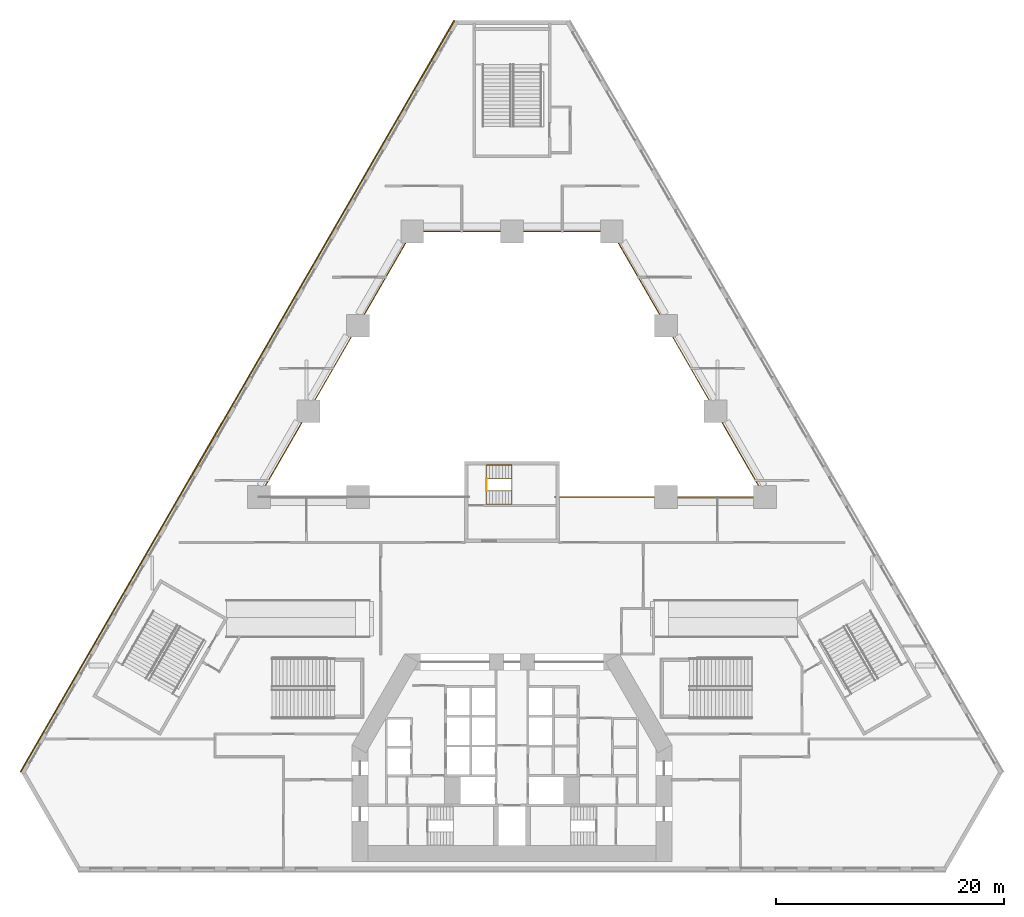
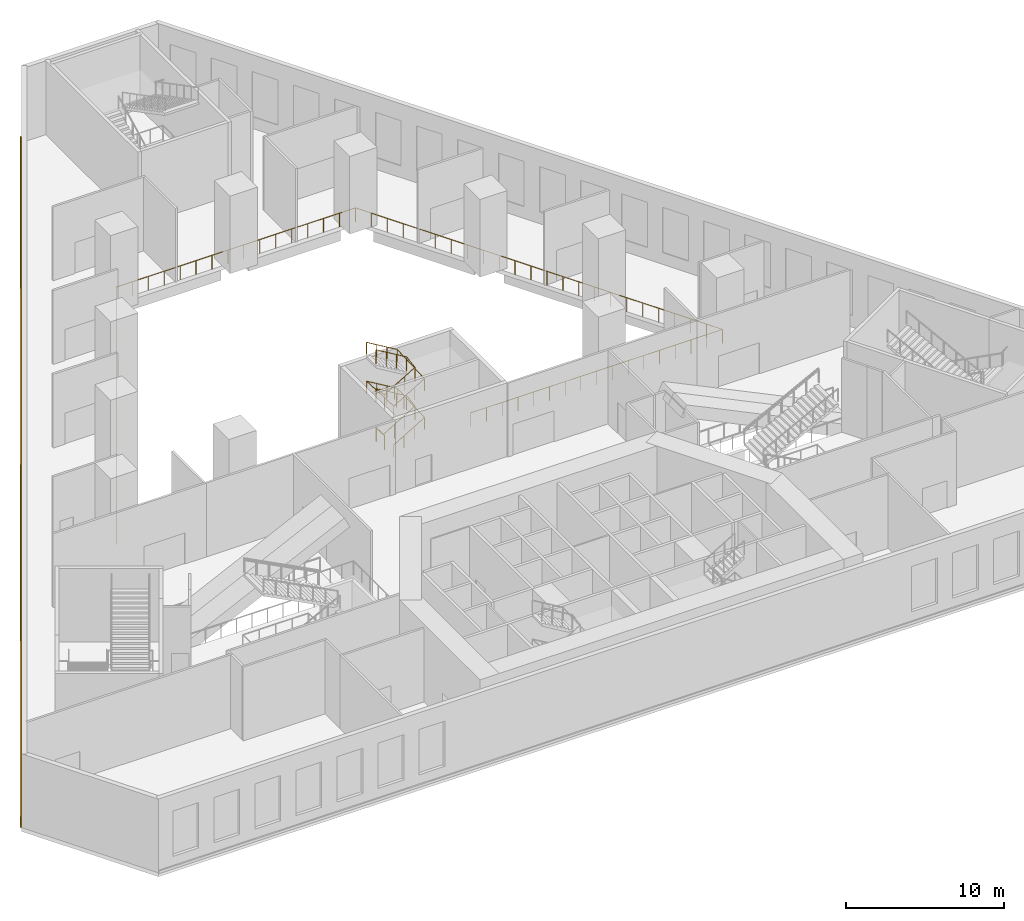
# One storey, part 12 of 16: 4 railings, 1 covering.
"""IFC4 building model written with IfcOpenShell, lengths in metres."""

from ifc_helpers import new_model, si_unit, direction, frame, origin, origin_2d, place, context, subcontext, project, spatial, polyline, circle, outline, extrude, material, type_object, element, save


model = new_model("IFC4")

# Units and contexts
model_context = context("Model", 3, precision=1e-05, world=origin(), true_north=direction((0.0, 1.0)))
body_context = subcontext(model_context, "Body", "Model", "MODEL_VIEW")
ifc_project = project(units=[si_unit("LENGTHUNIT", "METRE"), si_unit("AREAUNIT", "SQUARE_METRE"), si_unit("VOLUMEUNIT", "CUBIC_METRE"), si_unit("PLANEANGLEUNIT", "RADIAN"), si_unit("MASSUNIT", "GRAM", prefix="KILO")], contexts=[model_context])

# Site, building, storey
site_placement = place(None, origin())
site = spatial("IfcSite", under=ifc_project, at=site_placement, CompositionType="ELEMENT")
building_placement = place(site_placement, origin())
building = spatial("IfcBuilding", under=site, at=building_placement, Name="Fogline Exchange Tower", CompositionType="ELEMENT")
storey_placement = place(building_placement, frame((0.0, 0.0, 14.0)))
storey = spatial("IfcBuildingStorey", under=building, at=storey_placement, Name="L02", CompositionType="ELEMENT", Elevation=14.0)

# Railings
ifc_material_1 = material(Name="Steel Q235B", Category="steel")
railing_type_1 = type_object("IfcRailingType", Name="PG1", PredefinedType="GUARDRAIL", material=ifc_material_1)
railing_1_placement = place(storey_placement, frame((3.75, 32.760009765625, 0.0)))
element("IfcRailing", 1, at=railing_1_placement, inside=storey, type_object=railing_type_1, Name="Gallery guard", PredefinedType="GUARDRAIL", context=body_context, shape_type="SweptSolid", body=[
    extrude(circle(Radius=0.02392578125, at=origin_2d()), frame((0.0, 0.0, 1.076171875), z_axis=(1.0, 0.0, 0.0), x_axis=(0.0, 1.0, 0.0)), (0.0, 0.0, 1.0), 18.40771484375),
    extrude(circle(Radius=0.02392578125, at=origin_2d()), frame((18.40771484375, 0.0, 1.076171875), z_axis=(-0.499996250744, 0.866027568408, 0.0), x_axis=(-0.866027568408, -0.499996250744, 0.0)), (0.0, 0.0, 1.0), 26.835205078125),
    extrude(circle(Radius=0.02392578125, at=origin_2d()), frame((4.990234375, 23.239990234375, 1.076171875), z_axis=(-1.0, 0.0, 0.0), x_axis=(0.0, -1.0, 0.0)), (0.0, 0.0, 1.0), 17.48046875),
    extrude(circle(Radius=0.02392578125, at=origin_2d()), frame((-12.490234375, 23.239990234375, 1.076171875), z_axis=(-0.499996250744, -0.866027568408, 0.0), x_axis=(0.866027568408, -0.499996250744, 0.0)), (0.0, 0.0, 1.0), 26.835205078125),
    extrude(circle(Radius=0.02099609375, at=origin_2d()), origin(), (0.0, 0.0, 1.0), 1.052001953125),
    extrude(circle(Radius=0.02099609375, at=origin_2d()), frame((1.150390625, 0.0, 0.0)), (0.0, 0.0, 1.0), 1.052001953125),
    extrude(circle(Radius=0.02099609375, at=origin_2d()), frame((2.301025390625, 0.0, 0.0)), (0.0, 0.0, 1.0), 1.052001953125),
    extrude(circle(Radius=0.02099609375, at=origin_2d()), frame((3.451416015625, 0.0, 0.0)), (0.0, 0.0, 1.0), 1.052001953125),
    extrude(circle(Radius=0.02099609375, at=origin_2d()), frame((4.60205078125, 0.0, 0.0)), (0.0, 0.0, 1.0), 1.052001953125),
    extrude(circle(Radius=0.02099609375, at=origin_2d()), frame((5.75244140625, 0.0, 0.0)), (0.0, 0.0, 1.0), 1.052001953125),
    extrude(circle(Radius=0.02099609375, at=origin_2d()), frame((6.90283203125, 0.0, 0.0)), (0.0, 0.0, 1.0), 1.052001953125),
    extrude(circle(Radius=0.02099609375, at=origin_2d()), frame((8.053466796875, 0.0, 0.0)), (0.0, 0.0, 1.0), 1.052001953125),
    extrude(circle(Radius=0.02099609375, at=origin_2d()), frame((9.203857421875, 0.0, 0.0)), (0.0, 0.0, 1.0), 1.052001953125),
    extrude(circle(Radius=0.02099609375, at=origin_2d()), frame((10.354248046875, 0.0, 0.0)), (0.0, 0.0, 1.0), 1.052001953125),
    extrude(circle(Radius=0.02099609375, at=origin_2d()), frame((11.5048828125, 0.0, 0.0)), (0.0, 0.0, 1.0), 1.052001953125),
    extrude(circle(Radius=0.02099609375, at=origin_2d()), frame((12.6552734375, 0.0, 0.0)), (0.0, 0.0, 1.0), 1.052001953125),
    extrude(circle(Radius=0.02099609375, at=origin_2d()), frame((13.8056640625, 0.0, 0.0)), (0.0, 0.0, 1.0), 1.052001953125),
    extrude(circle(Radius=0.02099609375, at=origin_2d()), frame((14.956298828125, 0.0, 0.0)), (0.0, 0.0, 1.0), 1.052001953125),
    extrude(circle(Radius=0.02099609375, at=origin_2d()), frame((16.106689453125, 0.0, 0.0)), (0.0, 0.0, 1.0), 1.052001953125),
    extrude(circle(Radius=0.02099609375, at=origin_2d()), frame((17.25732421875, 0.0, 0.0)), (0.0, 0.0, 1.0), 1.052001953125),
    extrude(circle(Radius=0.02099609375, at=origin_2d()), frame((18.40771484375, 0.0, 0.0)), (0.0, 0.0, 1.0), 1.052001953125),
    extrude(circle(Radius=0.02099609375, at=origin_2d()), frame((17.824462890625, 1.010498046875, 0.0)), (0.0, 0.0, 1.0), 1.052001953125),
    extrude(circle(Radius=0.02099609375, at=origin_2d()), frame((17.240966796875, 2.020751953125, 0.0)), (0.0, 0.0, 1.0), 1.052001953125),
    extrude(circle(Radius=0.02099609375, at=origin_2d()), frame((16.65771484375, 3.03125, 0.0)), (0.0, 0.0, 1.0), 1.052001953125),
    extrude(circle(Radius=0.02099609375, at=origin_2d()), frame((16.07421875, 4.041748046875, 0.0)), (0.0, 0.0, 1.0), 1.052001953125),
    extrude(circle(Radius=0.02099609375, at=origin_2d()), frame((15.490966796875, 5.05224609375, 0.0)), (0.0, 0.0, 1.0), 1.052001953125),
    extrude(circle(Radius=0.02099609375, at=origin_2d()), frame((14.907470703125, 6.0625, 0.0)), (0.0, 0.0, 1.0), 1.052001953125),
    extrude(circle(Radius=0.02099609375, at=origin_2d()), frame((14.32421875, 7.072998046875, 0.0)), (0.0, 0.0, 1.0), 1.052001953125),
    extrude(circle(Radius=0.02099609375, at=origin_2d()), frame((13.74072265625, 8.08349609375, 0.0)), (0.0, 0.0, 1.0), 1.052001953125),
    extrude(circle(Radius=0.02099609375, at=origin_2d()), frame((13.157470703125, 9.093994140625, 0.0)), (0.0, 0.0, 1.0), 1.052001953125),
    extrude(circle(Radius=0.02099609375, at=origin_2d()), frame((12.573974609375, 10.104248046875, 0.0)), (0.0, 0.0, 1.0), 1.052001953125),
    extrude(circle(Radius=0.02099609375, at=origin_2d()), frame((11.99072265625, 11.11474609375, 0.0)), (0.0, 0.0, 1.0), 1.052001953125),
    extrude(circle(Radius=0.02099609375, at=origin_2d()), frame((11.4072265625, 12.125244140625, 0.0)), (0.0, 0.0, 1.0), 1.052001953125),
    extrude(circle(Radius=0.02099609375, at=origin_2d()), frame((10.823974609375, 13.1357421875, 0.0)), (0.0, 0.0, 1.0), 1.052001953125),
    extrude(circle(Radius=0.02099609375, at=origin_2d()), frame((10.240478515625, 14.14599609375, 0.0)), (0.0, 0.0, 1.0), 1.052001953125),
    extrude(circle(Radius=0.02099609375, at=origin_2d()), frame((9.6572265625, 15.156494140625, 0.0)), (0.0, 0.0, 1.0), 1.052001953125),
    extrude(circle(Radius=0.02099609375, at=origin_2d()), frame((9.07373046875, 16.1669921875, 0.0)), (0.0, 0.0, 1.0), 1.052001953125),
    extrude(circle(Radius=0.02099609375, at=origin_2d()), frame((8.490478515625, 17.177490234375, 0.0)), (0.0, 0.0, 1.0), 1.052001953125),
    extrude(circle(Radius=0.02099609375, at=origin_2d()), frame((7.906982421875, 18.187744140625, 0.0)), (0.0, 0.0, 1.0), 1.052001953125),
    extrude(circle(Radius=0.02099609375, at=origin_2d()), frame((7.32373046875, 19.1982421875, 0.0)), (0.0, 0.0, 1.0), 1.052001953125),
    extrude(circle(Radius=0.02099609375, at=origin_2d()), frame((6.740234375, 20.208740234375, 0.0)), (0.0, 0.0, 1.0), 1.052001953125),
    extrude(circle(Radius=0.02099609375, at=origin_2d()), frame((6.156982421875, 21.21923828125, 0.0)), (0.0, 0.0, 1.0), 1.052001953125),
    extrude(circle(Radius=0.02099609375, at=origin_2d()), frame((5.573486328125, 22.2294921875, 0.0)), (0.0, 0.0, 1.0), 1.052001953125),
    extrude(circle(Radius=0.02099609375, at=origin_2d()), frame((4.990234375, 23.239990234375, 0.0)), (0.0, 0.0, 1.0), 1.052001953125),
    extrude(circle(Radius=0.02099609375, at=origin_2d()), frame((3.824951171875, 23.239990234375, 0.0)), (0.0, 0.0, 1.0), 1.052001953125),
    extrude(circle(Radius=0.02099609375, at=origin_2d()), frame((2.659423828125, 23.239990234375, 0.0)), (0.0, 0.0, 1.0), 1.052001953125),
    extrude(circle(Radius=0.02099609375, at=origin_2d()), frame((1.494140625, 23.239990234375, 0.0)), (0.0, 0.0, 1.0), 1.052001953125),
    extrude(circle(Radius=0.02099609375, at=origin_2d()), frame((0.328857421875, 23.239990234375, 0.0)), (0.0, 0.0, 1.0), 1.052001953125),
    extrude(circle(Radius=0.02099609375, at=origin_2d()), frame((-0.836669921875, 23.239990234375, 0.0)), (0.0, 0.0, 1.0), 1.052001953125),
    extrude(circle(Radius=0.02099609375, at=origin_2d()), frame((-2.001953125, 23.239990234375, 0.0)), (0.0, 0.0, 1.0), 1.052001953125),
    extrude(circle(Radius=0.02099609375, at=origin_2d()), frame((-3.167236328125, 23.239990234375, 0.0)), (0.0, 0.0, 1.0), 1.052001953125),
    extrude(circle(Radius=0.02099609375, at=origin_2d()), frame((-4.332763671875, 23.239990234375, 0.0)), (0.0, 0.0, 1.0), 1.052001953125),
    extrude(circle(Radius=0.02099609375, at=origin_2d()), frame((-5.498046875, 23.239990234375, 0.0)), (0.0, 0.0, 1.0), 1.052001953125),
    extrude(circle(Radius=0.02099609375, at=origin_2d()), frame((-6.663330078125, 23.239990234375, 0.0)), (0.0, 0.0, 1.0), 1.052001953125),
    extrude(circle(Radius=0.02099609375, at=origin_2d()), frame((-7.828857421875, 23.239990234375, 0.0)), (0.0, 0.0, 1.0), 1.052001953125),
    extrude(circle(Radius=0.02099609375, at=origin_2d()), frame((-8.994140625, 23.239990234375, 0.0)), (0.0, 0.0, 1.0), 1.052001953125),
    extrude(circle(Radius=0.02099609375, at=origin_2d()), frame((-10.159423828125, 23.239990234375, 0.0)), (0.0, 0.0, 1.0), 1.052001953125),
    extrude(circle(Radius=0.02099609375, at=origin_2d()), frame((-11.324951171875, 23.239990234375, 0.0)), (0.0, 0.0, 1.0), 1.052001953125),
    extrude(circle(Radius=0.02099609375, at=origin_2d()), frame((-12.490234375, 23.239990234375, 0.0)), (0.0, 0.0, 1.0), 1.052001953125),
    extrude(circle(Radius=0.02099609375, at=origin_2d()), frame((-13.073486328125, 22.2294921875, 0.0)), (0.0, 0.0, 1.0), 1.052001953125),
    extrude(circle(Radius=0.02099609375, at=origin_2d()), frame((-13.656982421875, 21.21923828125, 0.0)), (0.0, 0.0, 1.0), 1.052001953125),
    extrude(circle(Radius=0.02099609375, at=origin_2d()), frame((-14.240234375, 20.208740234375, 0.0)), (0.0, 0.0, 1.0), 1.052001953125),
    extrude(circle(Radius=0.02099609375, at=origin_2d()), frame((-14.82373046875, 19.1982421875, 0.0)), (0.0, 0.0, 1.0), 1.052001953125),
    extrude(circle(Radius=0.02099609375, at=origin_2d()), frame((-15.406982421875, 18.187744140625, 0.0)), (0.0, 0.0, 1.0), 1.052001953125),
    extrude(circle(Radius=0.02099609375, at=origin_2d()), frame((-15.990478515625, 17.177490234375, 0.0)), (0.0, 0.0, 1.0), 1.052001953125),
    extrude(circle(Radius=0.02099609375, at=origin_2d()), frame((-16.57373046875, 16.1669921875, 0.0)), (0.0, 0.0, 1.0), 1.052001953125),
    extrude(circle(Radius=0.02099609375, at=origin_2d()), frame((-17.1572265625, 15.156494140625, 0.0)), (0.0, 0.0, 1.0), 1.052001953125),
    extrude(circle(Radius=0.02099609375, at=origin_2d()), frame((-17.740478515625, 14.14599609375, 0.0)), (0.0, 0.0, 1.0), 1.052001953125),
    extrude(circle(Radius=0.02099609375, at=origin_2d()), frame((-18.323974609375, 13.1357421875, 0.0)), (0.0, 0.0, 1.0), 1.052001953125),
    extrude(circle(Radius=0.02099609375, at=origin_2d()), frame((-18.9072265625, 12.125244140625, 0.0)), (0.0, 0.0, 1.0), 1.052001953125),
    extrude(circle(Radius=0.02099609375, at=origin_2d()), frame((-19.49072265625, 11.11474609375, 0.0)), (0.0, 0.0, 1.0), 1.052001953125),
    extrude(circle(Radius=0.02099609375, at=origin_2d()), frame((-20.073974609375, 10.104248046875, 0.0)), (0.0, 0.0, 1.0), 1.052001953125),
    extrude(circle(Radius=0.02099609375, at=origin_2d()), frame((-20.657470703125, 9.093994140625, 0.0)), (0.0, 0.0, 1.0), 1.052001953125),
    extrude(circle(Radius=0.02099609375, at=origin_2d()), frame((-21.24072265625, 8.08349609375, 0.0)), (0.0, 0.0, 1.0), 1.052001953125),
    extrude(circle(Radius=0.02099609375, at=origin_2d()), frame((-21.82421875, 7.072998046875, 0.0)), (0.0, 0.0, 1.0), 1.052001953125),
    extrude(circle(Radius=0.02099609375, at=origin_2d()), frame((-22.407470703125, 6.0625, 0.0)), (0.0, 0.0, 1.0), 1.052001953125),
    extrude(circle(Radius=0.02099609375, at=origin_2d()), frame((-22.990966796875, 5.05224609375, 0.0)), (0.0, 0.0, 1.0), 1.052001953125),
    extrude(circle(Radius=0.02099609375, at=origin_2d()), frame((-23.57421875, 4.041748046875, 0.0)), (0.0, 0.0, 1.0), 1.052001953125),
    extrude(circle(Radius=0.02099609375, at=origin_2d()), frame((-24.15771484375, 3.03125, 0.0)), (0.0, 0.0, 1.0), 1.052001953125),
    extrude(circle(Radius=0.02099609375, at=origin_2d()), frame((-24.740966796875, 2.020751953125, 0.0)), (0.0, 0.0, 1.0), 1.052001953125),
    extrude(circle(Radius=0.02099609375, at=origin_2d()), frame((-25.324462890625, 1.010498046875, 0.0)), (0.0, 0.0, 1.0), 1.052001953125),
    extrude(circle(Radius=0.02099609375, at=origin_2d()), frame((-25.90771484375, 0.0, 0.0)), (0.0, 0.0, 1.0), 1.052001953125),
])
railing_type_2 = type_object("IfcRailingType", Name="RL-GD", PredefinedType="GUARDRAIL", material=ifc_material_1)
railing_2_placement = place(storey_placement, frame((-2.239990234375, 33.306884765625, 0.0)))
element("IfcRailing", 2, at=railing_2_placement, inside=storey, type_object=railing_type_2, Name="Guard at well", PredefinedType="GUARDRAIL", context=body_context, shape_type="SweptSolid", body=[
    extrude(circle(Radius=0.02392578125, at=origin_2d()), frame((0.0, 0.0, 1.076171875), z_axis=(0.0, 1.0, 0.0), x_axis=(-1.0, 0.0, 0.0)), (0.0, 0.0, 1.0), 1.050048828125),
    extrude(circle(Radius=0.02099609375, at=origin_2d()), origin(), (0.0, 0.0, 1.0), 1.052001953125),
    extrude(circle(Radius=0.02099609375, at=origin_2d()), frame((0.0, 1.050048828125, 0.0)), (0.0, 0.0, 1.0), 1.052001953125),
])
railing_3_placement = place(storey_placement, frame((-2.25, 33.306884765625, 0.166748046875)))
element("IfcRailing", 3, at=railing_3_placement, inside=storey, type_object=railing_type_2, Name="Guard ST3", PredefinedType="GUARDRAIL", context=body_context, shape_type="SweptSolid", body=[
    extrude(circle(Radius=0.02392578125, at=origin_2d()), frame((0.0, 0.0, 1.076171875), z_axis=(0.859305625298, 0.0, 0.511462454469), x_axis=(0.0, 1.0, 0.0)), (0.0, 0.0, 1.0), 2.606689453125),
    extrude(circle(Radius=0.02392578125, at=origin_2d()), frame((2.239990234375, 0.0, 2.4091796875), z_axis=(0.0, 0.987624803842, 0.156835094402), x_axis=(-1.0, 0.0, 0.0)), (0.0, 0.0, 1.0), 1.063232421875),
    extrude(circle(Radius=0.02392578125, at=origin_2d()), frame((2.239990234375, 1.050048828125, 2.576171875), z_axis=(-0.859305625298, 0.0, 0.511462454469), x_axis=(0.0, -1.0, 0.0)), (0.0, 0.0, 1.0), 2.606689453125),
    extrude(circle(Radius=0.02392578125, at=origin_2d()), frame((0.0, 1.050048828125, 3.9091796875), z_axis=(0.0, -0.987624803842, 0.156835094402), x_axis=(1.0, 0.0, 0.0)), (0.0, 0.0, 1.0), 1.063232421875),
    extrude(circle(Radius=0.02392578125, at=origin_2d()), frame((0.0, 0.0, 4.076171875), z_axis=(0.859305625298, 0.0, 0.511462454469), x_axis=(0.0, 1.0, 0.0)), (0.0, 0.0, 1.0), 2.606689453125),
    extrude(circle(Radius=0.02392578125, at=origin_2d()), frame((2.239990234375, 0.0, 5.4091796875), z_axis=(0.0, 0.987624803842, 0.156835094402), x_axis=(-1.0, 0.0, 0.0)), (0.0, 0.0, 1.0), 1.063232421875),
    extrude(circle(Radius=0.02392578125, at=origin_2d()), frame((2.239990234375, 1.050048828125, 5.576171875), z_axis=(-0.859305625298, 0.0, 0.511462454469), x_axis=(0.0, -1.0, 0.0)), (0.0, 0.0, 1.0), 2.606689453125),
    extrude(circle(Radius=0.02099609375, at=origin_2d()), origin(), (0.0, 0.0, 1.0), 1.052001953125),
    extrude(circle(Radius=0.02099609375, at=origin_2d()), frame((0.74658203125, 0.0, 0.4443359375)), (0.0, 0.0, 1.0), 1.052001953125),
    extrude(circle(Radius=0.02099609375, at=origin_2d()), frame((1.493408203125, 0.0, 0.888916015625)), (0.0, 0.0, 1.0), 1.052001953125),
    extrude(circle(Radius=0.02099609375, at=origin_2d()), frame((2.239990234375, 0.0, 1.333251953125)), (0.0, 0.0, 1.0), 1.052001953125),
    extrude(circle(Radius=0.02099609375, at=origin_2d()), frame((2.239990234375, 1.050048828125, 1.5)), (0.0, 0.0, 1.0), 1.052001953125),
    extrude(circle(Radius=0.02099609375, at=origin_2d()), frame((1.493408203125, 1.050048828125, 1.9443359375)), (0.0, 0.0, 1.0), 1.052001953125),
    extrude(circle(Radius=0.02099609375, at=origin_2d()), frame((0.74658203125, 1.050048828125, 2.388916015625)), (0.0, 0.0, 1.0), 1.052001953125),
    extrude(circle(Radius=0.02099609375, at=origin_2d()), frame((0.0, 1.050048828125, 2.833251953125)), (0.0, 0.0, 1.0), 1.052001953125),
    extrude(circle(Radius=0.02099609375, at=origin_2d()), frame((0.0, 0.0, 3.0)), (0.0, 0.0, 1.0), 1.052001953125),
    extrude(circle(Radius=0.02099609375, at=origin_2d()), frame((0.74658203125, 0.0, 3.4443359375)), (0.0, 0.0, 1.0), 1.052001953125),
    extrude(circle(Radius=0.02099609375, at=origin_2d()), frame((1.493408203125, 0.0, 3.888916015625)), (0.0, 0.0, 1.0), 1.052001953125),
    extrude(circle(Radius=0.02099609375, at=origin_2d()), frame((2.239990234375, 0.0, 4.333251953125)), (0.0, 0.0, 1.0), 1.052001953125),
    extrude(circle(Radius=0.02099609375, at=origin_2d()), frame((2.239990234375, 1.050048828125, 4.5)), (0.0, 0.0, 1.0), 1.052001953125),
    extrude(circle(Radius=0.02099609375, at=origin_2d()), frame((1.493408203125, 1.050048828125, 4.9443359375)), (0.0, 0.0, 1.0), 1.052001953125),
    extrude(circle(Radius=0.02099609375, at=origin_2d()), frame((0.74658203125, 1.050048828125, 5.388916015625)), (0.0, 0.0, 1.0), 1.052001953125),
    extrude(circle(Radius=0.02099609375, at=origin_2d()), frame((0.0, 1.050048828125, 5.833251953125)), (0.0, 0.0, 1.0), 1.052001953125),
])
railing_type_3 = type_object("IfcRailingType", Name="RL-HR", PredefinedType="HANDRAIL", material=ifc_material_1)
railing_4_placement = place(storey_placement, frame((-2.25, 32.10693359375, 0.166748046875)))
element("IfcRailing", 4, at=railing_4_placement, inside=storey, type_object=railing_type_3, Name="Handrail ST3", PredefinedType="HANDRAIL", context=body_context, shape_type="SweptSolid", body=[
    extrude(circle(Radius=0.02392578125, at=origin_2d()), frame((0.0, 0.0, 0.92578125), z_axis=(0.859305625298, 0.0, 0.511462454469), x_axis=(0.0, 1.0, 0.0)), (0.0, 0.0, 1.0), 2.606689453125),
    extrude(circle(Radius=0.02392578125, at=origin_2d()), frame((2.239990234375, 0.0, 2.25927734375), z_axis=(0.0, 0.998833981318, 0.04827709357), x_axis=(-1.0, 0.0, 0.0)), (0.0, 0.0, 1.0), 3.453857421875),
    extrude(circle(Radius=0.02392578125, at=origin_2d()), frame((2.239990234375, 3.449951171875, 2.42578125), z_axis=(-0.859305625298, 0.0, 0.511462454469), x_axis=(0.0, -1.0, 0.0)), (0.0, 0.0, 1.0), 2.606689453125),
    extrude(circle(Radius=0.02392578125, at=origin_2d()), frame((0.0, 3.449951171875, 3.75927734375), z_axis=(0.0, -0.998833981318, 0.04827709357), x_axis=(1.0, 0.0, 0.0)), (0.0, 0.0, 1.0), 3.453857421875),
    extrude(circle(Radius=0.02392578125, at=origin_2d()), frame((0.0, 0.0, 3.92578125), z_axis=(0.859305625298, 0.0, 0.511462454469), x_axis=(0.0, 1.0, 0.0)), (0.0, 0.0, 1.0), 2.606689453125),
    extrude(circle(Radius=0.02392578125, at=origin_2d()), frame((2.239990234375, 0.0, 5.25927734375), z_axis=(0.0, 0.998833981318, 0.04827709357), x_axis=(-1.0, 0.0, 0.0)), (0.0, 0.0, 1.0), 3.453857421875),
    extrude(circle(Radius=0.02392578125, at=origin_2d()), frame((2.239990234375, 3.449951171875, 5.42578125), z_axis=(-0.859305625298, 0.0, 0.511462454469), x_axis=(0.0, -1.0, 0.0)), (0.0, 0.0, 1.0), 2.606689453125),
    extrude(circle(Radius=0.02099609375, at=origin_2d()), origin(), (0.0, 0.0, 1.0), 0.90185546875),
    extrude(circle(Radius=0.02099609375, at=origin_2d()), frame((0.74658203125, 0.0, 0.4443359375)), (0.0, 0.0, 1.0), 0.90185546875),
    extrude(circle(Radius=0.02099609375, at=origin_2d()), frame((1.493408203125, 0.0, 0.888916015625)), (0.0, 0.0, 1.0), 0.90185546875),
    extrude(circle(Radius=0.02099609375, at=origin_2d()), frame((2.239990234375, 0.0, 1.333251953125)), (0.0, 0.0, 1.0), 0.90185546875),
    extrude(circle(Radius=0.02099609375, at=origin_2d()), frame((2.239990234375, 1.14990234375, 1.388916015625)), (0.0, 0.0, 1.0), 0.90185546875),
    extrude(circle(Radius=0.02099609375, at=origin_2d()), frame((2.239990234375, 2.300048828125, 1.4443359375)), (0.0, 0.0, 1.0), 0.90185546875),
    extrude(circle(Radius=0.02099609375, at=origin_2d()), frame((2.239990234375, 3.449951171875, 1.5)), (0.0, 0.0, 1.0), 0.90185546875),
    extrude(circle(Radius=0.02099609375, at=origin_2d()), frame((1.493408203125, 3.449951171875, 1.9443359375)), (0.0, 0.0, 1.0), 0.90185546875),
    extrude(circle(Radius=0.02099609375, at=origin_2d()), frame((0.74658203125, 3.449951171875, 2.388916015625)), (0.0, 0.0, 1.0), 0.90185546875),
    extrude(circle(Radius=0.02099609375, at=origin_2d()), frame((0.0, 3.449951171875, 2.833251953125)), (0.0, 0.0, 1.0), 0.90185546875),
    extrude(circle(Radius=0.02099609375, at=origin_2d()), frame((0.0, 2.300048828125, 2.888916015625)), (0.0, 0.0, 1.0), 0.90185546875),
    extrude(circle(Radius=0.02099609375, at=origin_2d()), frame((0.0, 1.14990234375, 2.9443359375)), (0.0, 0.0, 1.0), 0.90185546875),
    extrude(circle(Radius=0.02099609375, at=origin_2d()), frame((0.0, 0.0, 3.0)), (0.0, 0.0, 1.0), 0.90185546875),
    extrude(circle(Radius=0.02099609375, at=origin_2d()), frame((0.74658203125, 0.0, 3.4443359375)), (0.0, 0.0, 1.0), 0.90185546875),
    extrude(circle(Radius=0.02099609375, at=origin_2d()), frame((1.493408203125, 0.0, 3.888916015625)), (0.0, 0.0, 1.0), 0.90185546875),
    extrude(circle(Radius=0.02099609375, at=origin_2d()), frame((2.239990234375, 0.0, 4.333251953125)), (0.0, 0.0, 1.0), 0.90185546875),
    extrude(circle(Radius=0.02099609375, at=origin_2d()), frame((2.239990234375, 1.14990234375, 4.388916015625)), (0.0, 0.0, 1.0), 0.90185546875),
    extrude(circle(Radius=0.02099609375, at=origin_2d()), frame((2.239990234375, 2.300048828125, 4.4443359375)), (0.0, 0.0, 1.0), 0.90185546875),
    extrude(circle(Radius=0.02099609375, at=origin_2d()), frame((2.239990234375, 3.449951171875, 4.5)), (0.0, 0.0, 1.0), 0.90185546875),
    extrude(circle(Radius=0.02099609375, at=origin_2d()), frame((1.493408203125, 3.449951171875, 4.9443359375)), (0.0, 0.0, 1.0), 0.90185546875),
    extrude(circle(Radius=0.02099609375, at=origin_2d()), frame((0.74658203125, 3.449951171875, 5.388916015625)), (0.0, 0.0, 1.0), 0.90185546875),
    extrude(circle(Radius=0.02099609375, at=origin_2d()), frame((0.0, 3.449951171875, 5.833251953125)), (0.0, 0.0, 1.0), 0.90185546875),
])

# Covering
ifc_material_2 = material(Name="Brick masonry", Category="masonry")
covering_type = type_object("IfcCoveringType", Name="SB1", PredefinedType="CLADDING", material=ifc_material_2)
covering_placement = place(storey_placement, origin())
element("IfcCovering", 5, at=covering_placement, inside=storey, type_object=covering_type, Name="Stringcourse band L02 W", PredefinedType="CLADDING", context=body_context, shape_type="SweptSolid", body=[
    extrude(outline(polyline([(-5.0, 74.478271484375), (-5.086669921875, 74.5283203125), (-43.086669921875, 8.710205078125), (-43.0, 8.660400390625), (-5.0, 74.478271484375)])), origin(), (0.0, 0.0, 1.0), 0.199951171875),
])

save(model, "model.ifc")
